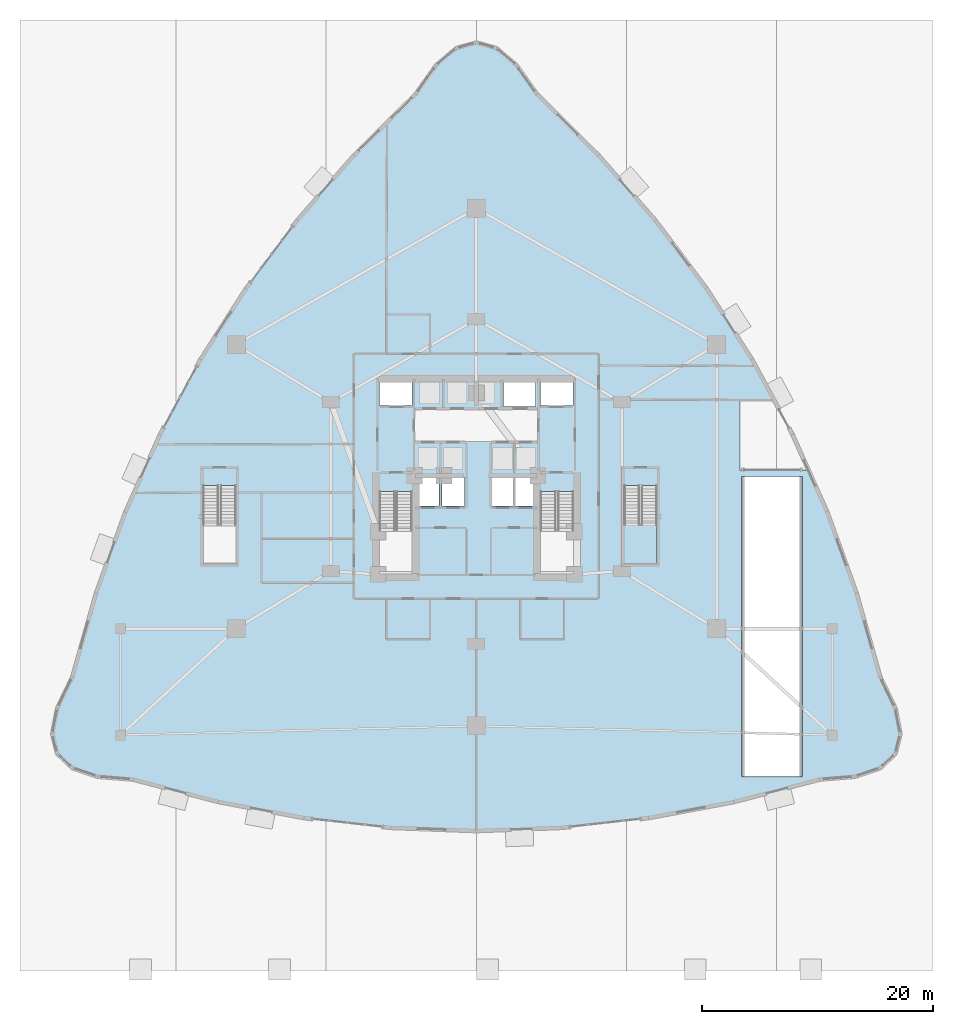
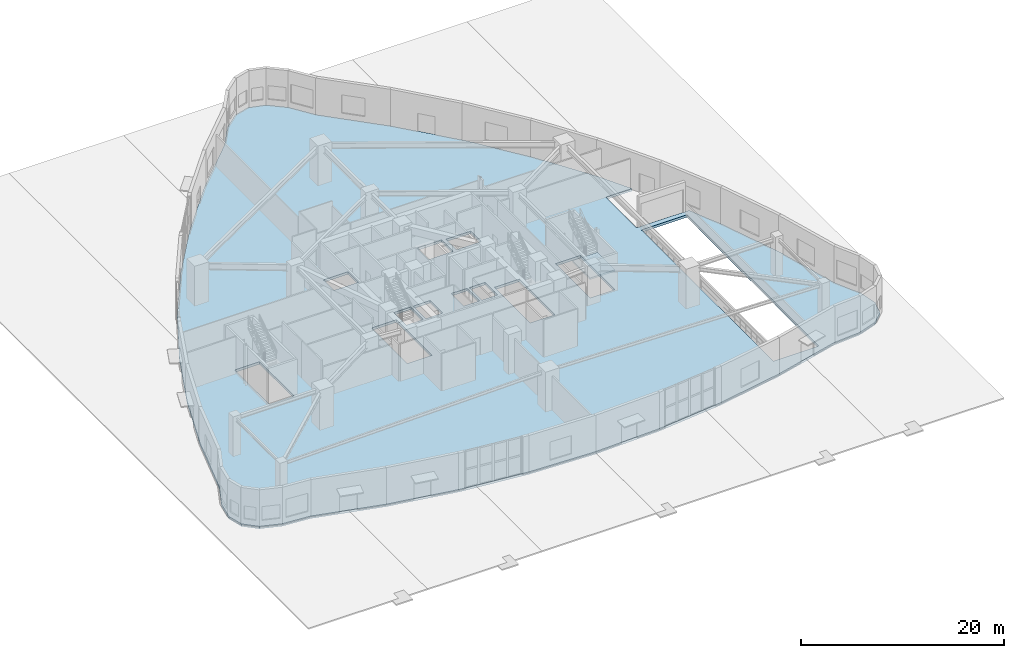
# One storey, part 18 of 32: 2 slabs, 1 element without a shape of its own.
"""IFC4 building model written with IfcOpenShell, lengths in metres."""

import ifcopenshell
import ifcopenshell.guid

model = None  # the IFC model being written
_history = None  # IfcOwnerHistory: only IFC2X3 demands one
_inside = {}  # id of a spatial element -> (the spatial element, [elements in it])
_under = {}  # id of a project, library or spatial element -> (it, [spatial elements below it])
_declared = {}  # id of a project -> (the project, [libraries it declares])
_typed = {}  # id of a type object -> (the type object, [elements of that type])
_made_of = {}  # id of a material, layer set ... -> (it, [elements and type objects made of it])


def new_model(schema):
    """Start an empty IFC model of exactly this schema.

    Asked for "IFC4X3", IfcOpenShell would pick the latest addendum, in which some entities
    have other attributes; the version numbers below select the first issue.
    IFC2X3 requires an IfcOwnerHistory on every rooted entity: one is made here for all.
    """
    global model, _history
    if schema == "IFC4X3":
        model = ifcopenshell.file(schema_version=(4, 3, 0, 0))
    else:
        model = ifcopenshell.file(schema=schema)
    _inside.clear()
    _under.clear()
    _declared.clear()
    _typed.clear()
    _made_of.clear()
    _history = None
    if model.schema == "IFC2X3":
        org = make("IfcOrganization", Name="unknown")
        user = make(
            "IfcPersonAndOrganization",
            ThePerson=make("IfcPerson", FamilyName="unknown"),
            TheOrganization=org,
        )
        app = make(
            "IfcApplication",
            ApplicationDeveloper=org,
            Version="unknown",
            ApplicationFullName="unknown",
            ApplicationIdentifier="unknown",
        )
        _history = make(
            "IfcOwnerHistory",
            OwningUser=user,
            OwningApplication=app,
            ChangeAction="ADDED",
            CreationDate=0,
        )
    return model


def make(cls, **values):
    """One entity of the class cls with the attributes given. An attribute that is None is left unset."""
    return model.create_entity(
        cls, **{name: value for name, value in values.items() if value is not None}
    )


def rooted(cls, **values):
    """An entity with a GlobalId (a new one), such as an element, a storey or a relation."""
    return make(cls, GlobalId=ifcopenshell.guid.new(), OwnerHistory=_history, **values)


def si_unit(unit_type, name, prefix=None):
    """IfcSIUnit, for example si_unit("LENGTHUNIT", "METRE", prefix="MILLI")."""
    return make("IfcSIUnit", UnitType=unit_type, Prefix=prefix, Name=name)


def assignment(units):
    """IfcUnitAssignment: the units of a project."""
    return None if units is None else make("IfcUnitAssignment", Units=units)


def point(xyz):
    """IfcCartesianPoint."""
    return None if xyz is None else make("IfcCartesianPoint", Coordinates=xyz)


def direction(xyz):
    """IfcDirection."""
    return None if xyz is None else make("IfcDirection", DirectionRatios=xyz)


def frame(location, z_axis=None, x_axis=None):
    """IfcAxis2Placement3D, a coordinate frame: its origin and axes. An axis left out is left unset."""
    return make(
        "IfcAxis2Placement3D",
        Location=point(location),
        Axis=direction(z_axis),
        RefDirection=direction(x_axis),
    )


def origin():
    """The frame at (0, 0, 0) with its axes left unset."""
    return frame((0.0, 0.0, 0.0))


def place(relative_to, where):
    """IfcLocalPlacement: puts the frame where relative to a parent placement (None: the world)."""
    return make(
        "IfcLocalPlacement", PlacementRelTo=relative_to, RelativePlacement=where
    )


def context(
    kind, dimensions, precision=None, world=None, true_north=None, identifier=None
):
    """IfcGeometricRepresentationContext, for example the 3D "Model" context."""
    return make(
        "IfcGeometricRepresentationContext",
        ContextIdentifier=identifier,
        ContextType=kind,
        CoordinateSpaceDimension=dimensions,
        Precision=precision,
        WorldCoordinateSystem=world,
        TrueNorth=true_north,
    )


def subcontext(parent, identifier, kind, view, scale=None):
    """IfcGeometricRepresentationSubContext, for example "Body" below "Model"."""
    return make(
        "IfcGeometricRepresentationSubContext",
        ContextIdentifier=identifier,
        ContextType=kind,
        ParentContext=parent,
        TargetScale=scale,
        TargetView=view,
    )


def project(units=None, contexts=None):
    """IfcProject with its units and contexts."""
    return rooted(
        "IfcProject",
        Name="project",
        RepresentationContexts=contexts,
        UnitsInContext=assignment(units),
    )


def spatial(cls, under=None, at=None, **own):
    """A site, building, storey or space (cls), placed at a placement, below another one or the project."""
    s = rooted(cls, ObjectPlacement=at, **own)
    if under is not None:
        _under.setdefault(under.id(), (under, []))[1].append(s)
    return s


def polyline(points):
    """IfcPolyline through the points."""
    return make("IfcPolyline", Points=[point(p) for p in points])


def outline(outer, holes=None, kind="AREA"):
    """IfcArbitraryClosedProfileDef: a profile drawn as a closed curve; with holes, ...WithVoids."""
    if holes is None:
        return make("IfcArbitraryClosedProfileDef", ProfileType=kind, OuterCurve=outer)
    return make(
        "IfcArbitraryProfileDefWithVoids",
        ProfileType=kind,
        OuterCurve=outer,
        InnerCurves=holes,
    )


def extrude(swept, where, along, depth):
    """IfcExtrudedAreaSolid: the profile swept, set in the frame where, extruded along a direction by depth."""
    return make(
        "IfcExtrudedAreaSolid",
        SweptArea=swept,
        Position=where,
        ExtrudedDirection=direction(along),
        Depth=depth,
    )


def shape(context_of_items, identifier, shape_type, items):
    """IfcShapeRepresentation: the items that make up one representation, for example the "Body"."""
    return make(
        "IfcShapeRepresentation",
        ContextOfItems=context_of_items,
        RepresentationIdentifier=identifier,
        RepresentationType=shape_type,
        Items=items,
    )


def material(Name=None, Category=None):
    """IfcMaterial."""
    return make("IfcMaterial", Name=Name, Category=Category)


def layer(
    of_material, thickness, ventilated=None, Name=None, Category=None, Priority=None
):
    """IfcMaterialLayer: one layer of a wall or slab, of a material (None: an air gap)."""
    return make(
        "IfcMaterialLayer",
        Material=of_material,
        LayerThickness=thickness,
        IsVentilated=ventilated,
        Name=Name,
        Category=Category,
        Priority=Priority,
    )


def layer_set(layers, Name=None):
    """IfcMaterialLayerSet."""
    return make("IfcMaterialLayerSet", MaterialLayers=layers, LayerSetName=Name)


def made_of(thing, what):
    """Note that an element or type object is made of a material, layer set ...; save() writes the relation."""
    if what is not None:
        _made_of.setdefault(what.id(), (what, []))[1].append(thing)
    return thing


def type_object(cls, material=None, **own):
    """A type object (cls), such as IfcWallType, which elements share."""
    return made_of(rooted(cls, **own), material)


def element(
    cls,
    number,
    at=None,
    inside=None,
    cuts=None,
    type_object=None,
    material=None,
    context=None,
    identifier="Body",
    shape_type=None,
    held_by="IfcProductDefinitionShape",
    body=None,
    shapes=None,
    **own,
):
    """One element of the class cls, such as IfcWall. Its Tag is "e" and its number.

    at: its placement. inside: the storey or other place that contains it. cuts: it is an
    opening in that element (IfcRelVoidsElement). A single representation is given by context,
    identifier, shape_type and body (its items); several are given by shapes. held_by: the class
    of the entity that holds the representations. save() writes the other relations.
    """
    e = rooted(cls, Tag="e%d" % number, ObjectPlacement=at, **own)
    if body is not None:
        shapes = [shape(context, identifier, shape_type, body)]
    if shapes is not None:
        e.Representation = make(held_by, Representations=shapes)
    if inside is not None:
        _inside.setdefault(inside.id(), (inside, []))[1].append(e)
    if cuts is not None:
        rooted(
            "IfcRelVoidsElement", RelatingBuildingElement=cuts, RelatedOpeningElement=e
        )
    if type_object is not None:
        _typed.setdefault(type_object.id(), (type_object, []))[1].append(e)
    return made_of(e, material)


def aggregate(whole, parts):
    """IfcRelAggregates: a whole, such as a stair, and the parts it consists of."""
    return rooted("IfcRelAggregates", RelatingObject=whole, RelatedObjects=parts)


def save(model, path):
    """Write the relations noted so far, then the file.

    IfcRelAggregates (storeys below a building ...), IfcRelContainedInSpatialStructure (elements
    in a storey), IfcRelDefinesByType, IfcRelAssociatesMaterial and IfcRelDeclares: one each for
    every whole, place, type object, material and project.
    """
    for whole, parts in _under.values():
        aggregate(whole, parts)
    for where, things in _inside.values():
        rooted(
            "IfcRelContainedInSpatialStructure",
            RelatedElements=things,
            RelatingStructure=where,
        )
    for kind, things in _typed.values():
        rooted("IfcRelDefinesByType", RelatedObjects=things, RelatingType=kind)
    for what, things in _made_of.values():
        rooted("IfcRelAssociatesMaterial", RelatedObjects=things, RelatingMaterial=what)
    for by, libraries in _declared.values():
        rooted("IfcRelDeclares", RelatingContext=by, RelatedDefinitions=libraries)
    model.write(path)


model = new_model("IFC4")

# Units and contexts
model_context = context("Model", 3, precision=1e-05, world=origin(), true_north=direction((0.0, 1.0)))
body_context = subcontext(model_context, "Body", "Model", "MODEL_VIEW")
ifc_project = project(units=[si_unit("LENGTHUNIT", "METRE"), si_unit("AREAUNIT", "SQUARE_METRE"), si_unit("VOLUMEUNIT", "CUBIC_METRE"), si_unit("PLANEANGLEUNIT", "RADIAN"), si_unit("MASSUNIT", "GRAM", prefix="KILO")], contexts=[model_context])

# Site, building, storey
site_placement = place(None, origin())
site = spatial("IfcSite", under=ifc_project, at=site_placement, CompositionType="ELEMENT")
building_placement = place(site_placement, origin())
building = spatial("IfcBuilding", under=site, at=building_placement, Name="Miruveldt Soraemaru", CompositionType="ELEMENT")
storey_placement = place(building_placement, origin())
storey = spatial("IfcBuildingStorey", under=building, at=storey_placement, Name="L01", CompositionType="ELEMENT", Elevation=0.0)

# Stair, slab
ifc_material_1 = material(Name="Steel S355 (355 MPa)", Category="steel")
stair_type = type_object("IfcStairType", Name="STAIR-FEAT-STR", PredefinedType="TWO_STRAIGHT_RUN_STAIR", material=ifc_material_1)
stair_placement = place(storey_placement, origin())
stair = element("IfcStair", 1, at=stair_placement, inside=storey, type_object=stair_type, Name="L01 Podium Garden Feature Stair ST-4", PredefinedType="TWO_STRAIGHT_RUN_STAIR")
ifc_material_2 = material(Name="Concrete C40/50 (40 MPa)", Category="concrete")
ifc_layer_1 = layer(ifc_material_2, 0.199951171875, Name="Concrete C40/50 (40 MPa)", Category="concrete")
ifc_layer_set_1 = layer_set([ifc_layer_1], Name="Concrete C40/50 (40 MPa)")
slab_type_1 = type_object("IfcSlabType", Name="SLAB-LAND-200", PredefinedType="LANDING", material=ifc_layer_set_1)
slab_1_placement = place(storey_placement, frame((0.0, 0.0, 2.199951171875)))
slab_1 = element("IfcSlab", 2, at=slab_1_placement, type_object=slab_type_1, Name="ST-4 landing 1", PredefinedType="LANDING", context=body_context, shape_type="SweptSolid", body=[
    extrude(outline(polyline([(56.800048828125, 39.85791015625), (56.800048828125, 36.39990234375), (59.64990234375, 36.39990234375), (59.64990234375, 39.85791015625), (56.800048828125, 39.85791015625)])), origin(), (0.0, 0.0, 1.0), 0.199951171875),
])
aggregate(stair, [slab_1])

# Slab
ifc_layer_2 = layer(ifc_material_2, 0.300048828125, Name="Concrete C40/50 (40 MPa)", Category="concrete")
ifc_layer_set_2 = layer_set([ifc_layer_2], Name="Concrete C40/50 (40 MPa)")
slab_type_2 = type_object("IfcSlabType", Name="SLAB-PODM-300", PredefinedType="FLOOR", material=ifc_layer_set_2)
slab_2_placement = place(storey_placement, frame((0.0, 0.0, -0.300048828125)))
element("IfcSlab", 3, at=slab_2_placement, inside=storey, type_object=slab_type_2, Name="L01 Structural Floor Slab", PredefinedType="FLOOR", context=body_context, shape_type="SweptSolid", body=[
    extrude(outline(polyline([(76.89892578125, 33.916015625), (78.959716796875, 26.631103515625), (80.265625, 23.921630859375), (80.700927734375, 21.704833984375), (80.265625, 19.980712890625), (78.959716796875, 18.749267578125), (76.783203125, 18.01025390625), (73.73583984375, 17.763916015625), (66.302001953125, 15.8125), (58.867919921875, 14.418701171875), (51.43408203125, 13.58251953125), (44.0, 13.3037109375), (36.56591796875, 13.58251953125), (29.132080078125, 14.418701171875), (21.697998046875, 15.8125), (14.26416015625, 17.763916015625), (11.216796875, 18.01025390625), (9.040283203125, 18.749267578125), (7.734375, 19.980712890625), (7.299072265625, 21.704833984375), (7.734375, 23.921630859375), (9.040283203125, 26.631103515625), (11.10107421875, 33.916015625), (13.635009765625, 40.922119140625), (16.642333984375, 47.649658203125), (20.122802734375, 54.09814453125), (24.076171875, 60.26806640625), (28.5029296875, 66.1591796875), (33.403076171875, 71.771484375), (38.776123046875, 77.10498046875), (40.517333984375, 79.568115234375), (42.2587890625, 81.0458984375), (44.0, 81.53857421875), (45.7412109375, 81.0458984375), (47.482666015625, 79.568115234375), (49.223876953125, 77.10498046875), (54.596923828125, 71.771484375), (59.4970703125, 66.1591796875), (63.923828125, 60.26806640625), (67.877197265625, 54.09814453125), (69.765380859375, 50.60009765625), (66.800048828125, 50.60009765625), (66.800048828125, 44.550048828125), (72.7431640625, 44.550048828125), (74.364990234375, 40.922119140625), (76.89892578125, 33.916015625)]), holes=[polyline([(35.614990234375, 35.6650390625), (38.43505859375, 35.6650390625), (38.43505859375, 42.68505859375), (35.614990234375, 42.68505859375), (35.614990234375, 35.6650390625)]), polyline([(20.364990234375, 43.18505859375), (20.364990234375, 36.4150390625), (23.18505859375, 36.4150390625), (23.18505859375, 43.18505859375), (20.364990234375, 43.18505859375)]), polyline([(38.81494140625, 41.4150390625), (40.764892578125, 41.4150390625), (40.764892578125, 43.885009765625), (38.81494140625, 43.885009765625), (38.81494140625, 41.4150390625)]), polyline([(42.965087890625, 41.4150390625), (42.965087890625, 43.885009765625), (41.034912109375, 43.885009765625), (41.034912109375, 41.4150390625), (42.965087890625, 41.4150390625)]), polyline([(45.364990234375, 41.4150390625), (47.1650390625, 41.4150390625), (47.1650390625, 43.885009765625), (45.364990234375, 43.885009765625), (45.364990234375, 41.4150390625)]), polyline([(35.635009765625, 50.135009765625), (38.445068359375, 50.135009765625), (38.445068359375, 52.205078125), (35.635009765625, 52.205078125), (35.635009765625, 50.135009765625)]), polyline([(72.18505859375, 18.014892578125), (72.18505859375, 43.985107421875), (67.014892578125, 43.985107421875), (67.014892578125, 18.014892578125), (72.18505859375, 18.014892578125)]), polyline([(49.56494140625, 42.68505859375), (49.56494140625, 35.6650390625), (52.385009765625, 35.6650390625), (52.385009765625, 42.68505859375), (49.56494140625, 42.68505859375)]), polyline([(56.81494140625, 43.18505859375), (56.81494140625, 36.4150390625), (59.635009765625, 36.4150390625), (59.635009765625, 43.18505859375), (56.81494140625, 43.18505859375)]), polyline([(49.18505859375, 41.4150390625), (49.18505859375, 43.885009765625), (47.39501953125, 43.885009765625), (47.39501953125, 41.4150390625), (49.18505859375, 41.4150390625)]), polyline([(49.554931640625, 50.135009765625), (52.364990234375, 50.135009765625), (52.364990234375, 52.205078125), (49.554931640625, 52.205078125), (49.554931640625, 50.135009765625)]), polyline([(46.364990234375, 50.06494140625), (49.135009765625, 50.06494140625), (49.135009765625, 52.3349609375), (46.364990234375, 52.3349609375), (46.364990234375, 50.06494140625)])]), origin(), (0.0, 0.0, 1.0), 0.300048828125),
])

save(model, "model.ifc")
